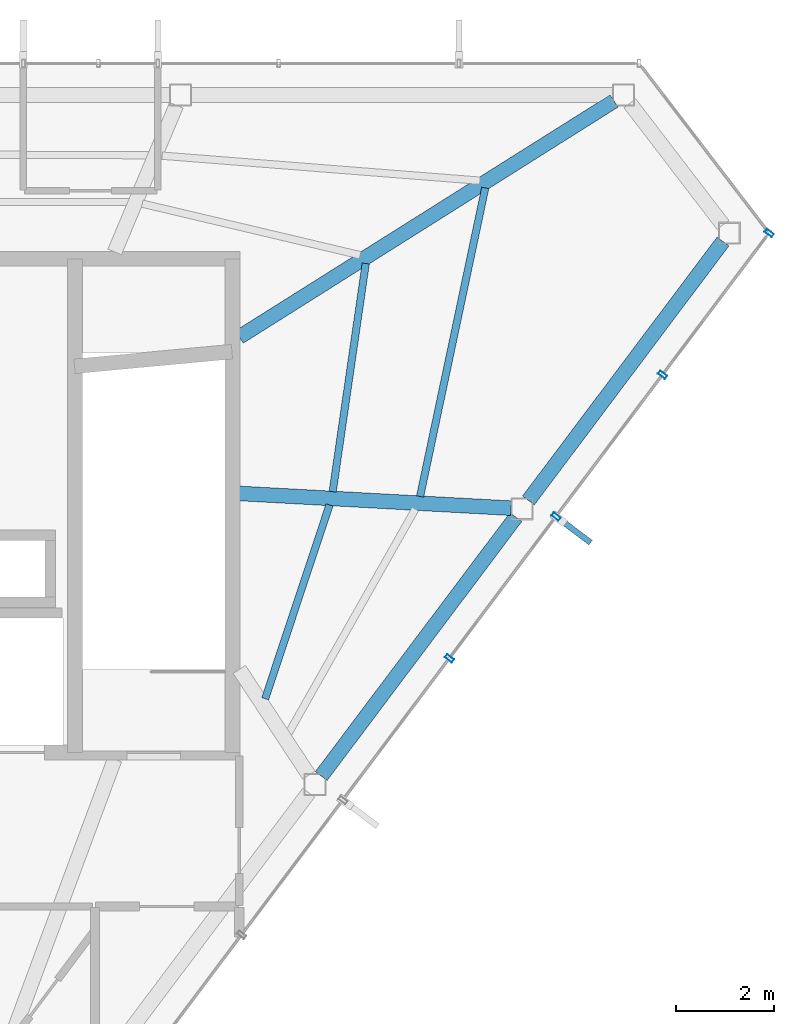
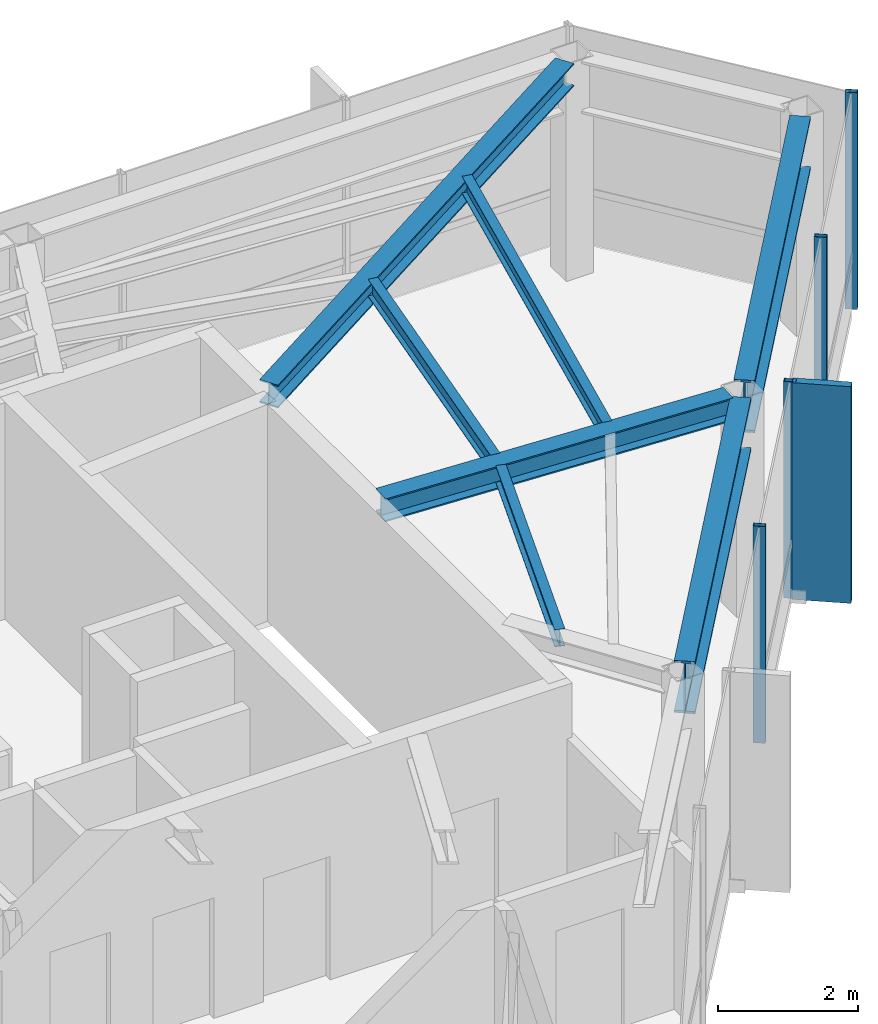
# One storey, part 16 of 21: 7 beams, 5 members, 1 element without a shape of its own.
"""IFC4 building model written with IfcOpenShell, lengths in metres."""

from ifc_helpers import new_model, si_unit, direction, frame, origin, origin_2d, place, context, subcontext, project, spatial, rectangle, hollow_rectangle, i_section, extrude, material, layer, layer_set, material_profile, profile_set, type_object, element, aggregate, save


model = new_model("IFC4")

# Units and contexts
model_context = context("Model", 3, precision=1e-05, world=origin(), true_north=direction((0.0, 1.0)))
body_context = subcontext(model_context, "Body", "Model", "MODEL_VIEW")
ifc_project = project(units=[si_unit("LENGTHUNIT", "METRE"), si_unit("AREAUNIT", "SQUARE_METRE"), si_unit("VOLUMEUNIT", "CUBIC_METRE"), si_unit("PLANEANGLEUNIT", "RADIAN"), si_unit("MASSUNIT", "GRAM", prefix="KILO")], contexts=[model_context])

# Site, building, storey
site_placement = place(None, origin())
site = spatial("IfcSite", under=ifc_project, at=site_placement, CompositionType="ELEMENT")
building_placement = place(site_placement, origin())
building = spatial("IfcBuilding", under=site, at=building_placement, Name="Zarrinselat Tower", CompositionType="ELEMENT")
storey_placement = place(building_placement, frame((0.0, 0.0, 299.199951171875)))
storey = spatial("IfcBuildingStorey", under=building, at=storey_placement, Name="L77", CompositionType="ELEMENT", Elevation=299.199951171875)

# Beams
ifc_material_1 = material(Name="Steel S355J2", Category="steel")
ifc_material_profile_1 = material_profile(ifc_material_1, i_section(OverallWidth=0.300048828125, OverallDepth=0.39990234375, WebThickness=0.013427734375, FlangeThickness=0.02392578125, at=origin_2d()), Name="HEB 400")
ifc_profile_set_1 = profile_set([ifc_material_profile_1], Name="Steel S355J2")
beam_type_1 = type_object("IfcBeamType", Name="BM-HEB400", PredefinedType="BEAM", material=ifc_profile_set_1)
beam_1_placement = place(storey_placement, frame((48.35009765625, 41.800048828125, 3.580078125), z_axis=(0.846181544942, 0.532894729755, 0.0), x_axis=(-0.532894729755, 0.846181544942, 0.0)))
element("IfcBeam", 1, at=beam_1_placement, inside=storey, type_object=beam_type_1, Name="L77 Radial Primary Girder RG01", PredefinedType="BEAM", context=body_context, shape_type="SweptSolid", body=[
    extrude(i_section(OverallWidth=0.300048828125, OverallDepth=0.39990234375, WebThickness=0.013427734375, FlangeThickness=0.02392578125, at=origin_2d()), origin(), (0.0, 0.0, 1.0), 9.0615234375),
])
beam_2_placement = place(storey_placement, frame((48.35009765625, 38.60009765625, 3.580078125), z_axis=(0.998530240381, -0.054197408094, 0.0), x_axis=(0.054197408094, 0.998530240381, 0.0)))
element("IfcBeam", 2, at=beam_2_placement, inside=storey, type_object=beam_type_1, Name="L77 Radial Primary Girder RG14", PredefinedType="BEAM", context=body_context, shape_type="SweptSolid", body=[
    extrude(i_section(OverallWidth=0.300048828125, OverallDepth=0.39990234375, WebThickness=0.013427734375, FlangeThickness=0.02392578125, at=origin_2d()), origin(), (0.0, 0.0, 1.0), 5.56787109375),
])
ifc_material_2 = material(Name="Steel S460M", Category="steel")
ifc_material_profile_2 = material_profile(ifc_material_2, i_section(OverallWidth=0.302001953125, OverallDepth=0.909912109375, WebThickness=0.02099609375, FlangeThickness=0.0400390625, at=origin_2d()), Name="HEM 900")
ifc_profile_set_2 = profile_set([ifc_material_profile_2], Name="Steel S460M")
beam_type_2 = type_object("IfcBeamType", Name="BM-HEM900", PredefinedType="BEAM", material=ifc_profile_set_2)
for number, where, z_axis, x_axis, name in (
    (3, (50.026611328125, 32.81884765625, 3.324951171875), (0.600872084865, 0.799345193036, 0.0), (-0.799345193036, 0.600872084865, 0.0), "L77 Perimeter Spandrel Girder SP13"),
    (4, (54.264404296875, 38.456298828125, 3.324951171875), (0.600830847611, 0.799376189638, 0.0), (-0.799376189638, 0.600830847611, 0.0), "L77 Perimeter Spandrel Girder SP14"),
):
    element("IfcBeam", number, at=place(storey_placement, frame(where, z_axis=z_axis, x_axis=x_axis)), inside=storey, type_object=beam_type_2, Name=name, PredefinedType="BEAM", context=body_context, shape_type="SweptSolid", body=[
        extrude(i_section(OverallWidth=0.302001953125, OverallDepth=0.909912109375, WebThickness=0.02099609375, FlangeThickness=0.0400390625, at=origin_2d()), origin(), (0.0, 0.0, 1.0), 6.62646484375),
    ])
ifc_material_3 = material(Name="Steel S355J2", Category="steel")
ifc_material_profile_3 = material_profile(ifc_material_3, i_section(OverallWidth=0.14990234375, OverallDepth=0.300048828125, WebThickness=0.007080078125, FlangeThickness=0.0107421875, at=origin_2d()), Name="IPE 300")
ifc_profile_set_3 = profile_set([ifc_material_profile_3], Name="Steel S355J2")
beam_type_3 = type_object("IfcBeamType", Name="BM-IPE300", PredefinedType="JOIST", material=ifc_profile_set_3)
beam_3_placement = place(storey_placement, frame((48.878173828125, 34.397705078125, 3.630126953125), z_axis=(0.315281414047, 0.948998224422, 0.0), x_axis=(-0.948998224422, 0.315281414047, 0.0)))
element("IfcBeam", 5, at=beam_3_placement, inside=storey, type_object=beam_type_3, Name="L77 Composite Floor Joist 4-2", PredefinedType="JOIST", context=body_context, shape_type="SweptSolid", body=[
    extrude(i_section(OverallWidth=0.14990234375, OverallDepth=0.300048828125, WebThickness=0.007080078125, FlangeThickness=0.0107421875, at=origin_2d()), origin(), (0.0, 0.0, 1.0), 4.179931640625),
])
beam_4_placement = place(storey_placement, frame((52.04833984375, 38.537841796875, 3.630126953125), z_axis=(0.206693193557, 0.978405807289, 0.0), x_axis=(-0.978405807289, 0.206693193557, 0.0)))
element("IfcBeam", 6, at=beam_4_placement, inside=storey, type_object=beam_type_3, Name="L77 Composite Floor Joist 5-1", PredefinedType="JOIST", context=body_context, shape_type="SweptSolid", body=[
    extrude(i_section(OverallWidth=0.14990234375, OverallDepth=0.300048828125, WebThickness=0.007080078125, FlangeThickness=0.0107421875, at=origin_2d()), origin(), (0.0, 0.0, 1.0), 6.45166015625),
])
beam_5_placement = place(storey_placement, frame((50.260498046875, 38.635986328125, 3.630126953125), z_axis=(0.143450382443, 0.989657510342, 0.0), x_axis=(-0.989657510342, 0.143450382443, 0.0)))
element("IfcBeam", 7, at=beam_5_placement, inside=storey, type_object=beam_type_3, Name="L77 Composite Floor Joist 5-2", PredefinedType="JOIST", context=body_context, shape_type="SweptSolid", body=[
    extrude(i_section(OverallWidth=0.14990234375, OverallDepth=0.300048828125, WebThickness=0.007080078125, FlangeThickness=0.0107421875, at=origin_2d()), origin(), (0.0, 0.0, 1.0), 4.716064453125),
])

# Curtain wall, members
ifc_material_4 = material(Name="Extruded Aluminium Alloy EN AW-6063 T6", Category="aluminium")
ifc_layer = layer(ifc_material_4, 0.199951171875)
ifc_layer_set = layer_set([ifc_layer], Name="Extruded Aluminium Alloy EN AW-6063 T6")
curtain_wall_type = type_object("IfcCurtainWallType", Name="CWS-BLADE", PredefinedType="NOTDEFINED", material=ifc_layer_set)
curtain_wall_placement = place(storey_placement, origin())
curtain_wall = element("IfcCurtainWall", 8, at=curtain_wall_placement, inside=storey, type_object=curtain_wall_type, Name="L77 Unitised Curtain Wall CW-L77-E05", PredefinedType="NOTDEFINED")
ifc_material_5 = material(Name="Extruded Aluminium Alloy EN AW-6063 T6", Category="aluminium")
ifc_material_profile_4 = material_profile(ifc_material_5, hollow_rectangle(XDim=0.080078125, YDim=0.179931640625, WallThickness=0.0048828125, at=origin_2d()), Name="RHS 180x80x5")
ifc_profile_set_4 = profile_set([ifc_material_profile_4], Name="Extruded Aluminium Alloy EN AW-6063 T6")
member_type_1 = type_object("IfcMemberType", Name="MEM-CW-MUL", PredefinedType="MULLION", material=ifc_profile_set_4)
member_1_placement = place(storey_placement, frame((52.649169921875, 35.225830078125, 0.0), z_axis=(0.0, 0.0, 1.0), x_axis=(0.600848494465, 0.799362925522, 0.0)))
member_1 = element("IfcMember", 9, at=member_1_placement, type_object=member_type_1, Name="CW-L77-E05 Mullion 6", PredefinedType="MULLION", context=body_context, shape_type="SweptSolid", body=[
    extrude(hollow_rectangle(XDim=0.080078125, YDim=0.179931640625, WallThickness=0.0048828125, at=origin_2d()), origin(), (0.0, 0.0, 1.0), 3.780029296875),
])
member_2_placement = place(storey_placement, frame((54.829345703125, 38.126220703125, 0.0), z_axis=(0.0, 0.0, 1.0), x_axis=(0.600848494465, 0.799362925522, 0.0)))
member_2 = element("IfcMember", 10, at=member_2_placement, type_object=member_type_1, Name="CW-L77-E05 Mullion 7", PredefinedType="MULLION", context=body_context, shape_type="SweptSolid", body=[
    extrude(hollow_rectangle(XDim=0.080078125, YDim=0.179931640625, WallThickness=0.0048828125, at=origin_2d()), origin(), (0.0, 0.0, 1.0), 3.780029296875),
])
member_3_placement = place(storey_placement, frame((57.009521484375, 41.02685546875, 0.0), z_axis=(0.0, 0.0, 1.0), x_axis=(0.600848494465, 0.799362925522, 0.0)))
member_3 = element("IfcMember", 11, at=member_3_placement, type_object=member_type_1, Name="CW-L77-E05 Mullion 8", PredefinedType="MULLION", context=body_context, shape_type="SweptSolid", body=[
    extrude(hollow_rectangle(XDim=0.080078125, YDim=0.179931640625, WallThickness=0.0048828125, at=origin_2d()), origin(), (0.0, 0.0, 1.0), 3.780029296875),
])
member_4_placement = place(storey_placement, frame((59.189697265625, 43.92724609375, 0.0), z_axis=(0.0, 0.0, 1.0), x_axis=(0.600848494465, 0.799362925522, 0.0)))
member_4 = element("IfcMember", 12, at=member_4_placement, type_object=member_type_1, Name="CW-L77-E05 Mullion 9", PredefinedType="MULLION", context=body_context, shape_type="SweptSolid", body=[
    extrude(hollow_rectangle(XDim=0.080078125, YDim=0.179931640625, WallThickness=0.0048828125, at=origin_2d()), origin(), (0.0, 0.0, 1.0), 3.780029296875),
])
ifc_material_6 = material(Name="Honed Cream Travertine Stone", Category="masonry")
ifc_material_profile_5 = material_profile(ifc_material_6, rectangle(XDim=0.1201171875, YDim=0.85009765625, at=origin_2d()), Name="FIN 850x120")
ifc_profile_set_5 = profile_set([ifc_material_profile_5], Name="Honed Cream Travertine Stone")
member_type_2 = type_object("IfcMemberType", Name="MEM-STONE-FIN", PredefinedType="USERDEFINED", material=ifc_profile_set_5)
member_5_placement = place(storey_placement, frame((55.197021484375, 37.849853515625, 0.0), z_axis=(0.0, 0.0, 1.0), x_axis=(-0.600848494465, -0.799362925522, 0.0)))
member_5 = element("IfcMember", 13, at=member_5_placement, type_object=member_type_2, Name="L77 Stone Shading Fin CW-L77-E05-07", ObjectType="FIN", PredefinedType="USERDEFINED", context=body_context, shape_type="SweptSolid", body=[
    extrude(rectangle(XDim=0.1201171875, YDim=0.85009765625, at=origin_2d()), origin(), (0.0, 0.0, 1.0), 3.780029296875),
])
aggregate(curtain_wall, [member_1, member_2, member_5, member_3, member_4])

save(model, "model.ifc")
